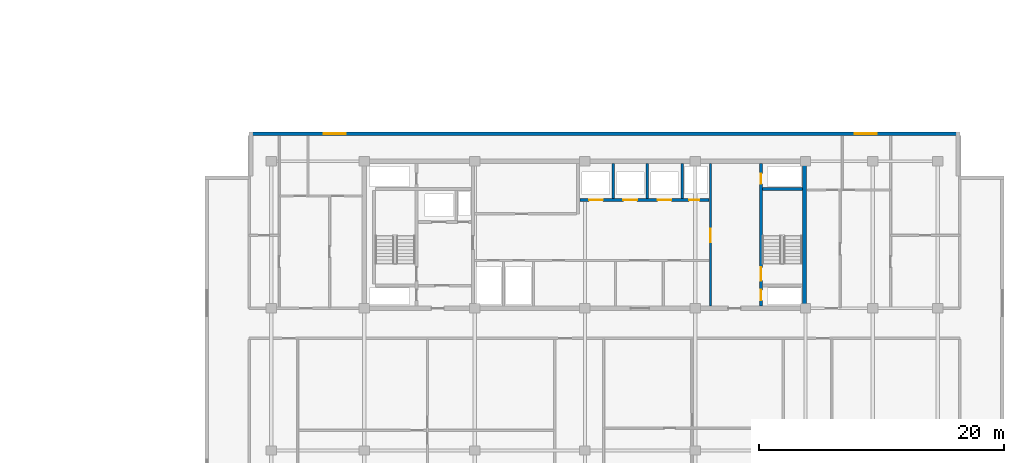
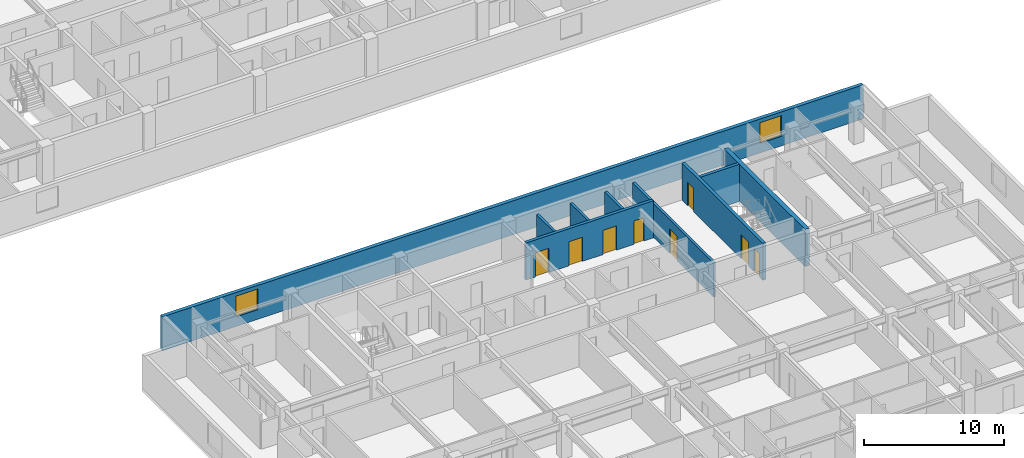
# One storey, part 8 of 22: 9 walls, 8 doors, 2 windows, 10 openings.
"""IFC4 building model written with IfcOpenShell, lengths in metres."""

from ifc_helpers import new_model, si_unit, direction, frame, frame_2d, origin, place, context, subcontext, project, spatial, rectangle, extrude, material, layer, layer_set, type_object, element, fill, save


model = new_model("IFC4")

# Units and contexts
model_context = context("Model", 3, precision=1e-05, world=origin(), true_north=direction((0.0, 1.0)))
body_context = subcontext(model_context, "Body", "Model", "MODEL_VIEW")
ifc_project = project(units=[si_unit("LENGTHUNIT", "METRE"), si_unit("AREAUNIT", "SQUARE_METRE"), si_unit("VOLUMEUNIT", "CUBIC_METRE"), si_unit("PLANEANGLEUNIT", "RADIAN"), si_unit("MASSUNIT", "GRAM", prefix="KILO")], contexts=[model_context])

# Site, building, storey
site_placement = place(None, origin())
site = spatial("IfcSite", under=ifc_project, at=site_placement, CompositionType="ELEMENT")
building_placement = place(site_placement, origin())
building = spatial("IfcBuilding", under=site, at=building_placement, Name="Korimba Cascade Residences", CompositionType="ELEMENT")
storey_placement = place(building_placement, frame((0.0, 0.0, 132.800048828125)))
storey = spatial("IfcBuildingStorey", under=building, at=storey_placement, Name="L38", CompositionType="ELEMENT", Elevation=132.800048828125)

# Wall, openings, windows
ifc_material_1 = material(Name="Precast concrete C40/50", Category="concrete")
ifc_layer_1 = layer(ifc_material_1, 0.300048828125)
ifc_layer_set_1 = layer_set([ifc_layer_1], Name="Precast concrete C40/50")
wall_type_1 = type_object("IfcWallType", Name="EW-STONE-300", PredefinedType="STANDARD", material=ifc_layer_set_1)
wall_1_placement = place(storey_placement, frame((130.699951171875, 32.64990234375, 0.0), z_axis=(0.0, 0.0, 1.0), x_axis=(-1.0, 0.0, 0.0)))
wall_1 = element("IfcWall", 1, at=wall_1_placement, inside=storey, type_object=wall_type_1, Name="L38 T2 Perimeter Stone Wall E06", PredefinedType="STANDARD", context=body_context, shape_type="SweptSolid", body=[
    extrude(rectangle(XDim=58.0, YDim=0.300048828125, at=frame_2d((29.0, 0.0))), origin(), (0.0, 0.0, 1.0), 2.969970703125),
])
opening_1_placement = place(wall_1_placement, frame((50.125, 0.0, 0.85009765625)))
opening_1 = element("IfcOpeningElement", 2, at=opening_1_placement, cuts=wall_1, Name="Opening W-02", PredefinedType="OPENING", context=body_context, shape_type="SweptSolid", body=[
    extrude(rectangle(XDim=1.800048828125, YDim=1.800048828125, at=frame_2d((0.89990234375, 0.89990234375))), frame((0.0, 0.16015625, 0.0), z_axis=(0.0, -1.0, 0.0), x_axis=(1.0, 0.0, 0.0)), (0.0, 0.0, 1.0), 0.320068359375),
])
opening_2_placement = place(wall_1_placement, frame((6.77490234375, 0.0, 0.85009765625)))
opening_2 = element("IfcOpeningElement", 3, at=opening_2_placement, cuts=wall_1, Name="Opening W-02", PredefinedType="OPENING", context=body_context, shape_type="SweptSolid", body=[
    extrude(rectangle(XDim=1.800048828125, YDim=1.800048828125, at=frame_2d((0.89990234375, 0.89990234375))), frame((0.0, 0.16015625, 0.0), z_axis=(0.0, -1.0, 0.0), x_axis=(1.0, 0.0, 0.0)), (0.0, 0.0, 1.0), 0.320068359375),
])
ifc_material_2 = material(Name="Double-Glazed Aluminium Window", Category="aluminium")
window_type = type_object("IfcWindowType", Name="WIN-BED-1800", PartitioningType="SINGLE_PANEL", PredefinedType="WINDOW", material=ifc_material_2)
window_1_placement = place(opening_1_placement, origin())
window_1 = element("IfcWindow", 4, at=window_1_placement, inside=storey, type_object=window_type, Name="L38 T2 North Corner Bedroom Window 1", OverallHeight=1.800048828125, OverallWidth=1.800048828125, PartitioningType="SINGLE_PANEL", PredefinedType="WINDOW", context=body_context, shape_type="SweptSolid", body=[
    extrude(rectangle(XDim=1.800048828125, YDim=1.800048828125, at=frame_2d((0.89990234375, 0.89990234375))), frame((0.0, 0.030029296875, 0.0), z_axis=(0.0, -1.0, 0.0), x_axis=(1.0, 0.0, 0.0)), (0.0, 0.0, 1.0), 0.06005859375),
])
fill(opening_1, window_1)
window_2_placement = place(opening_2_placement, origin())
window_2 = element("IfcWindow", 5, at=window_2_placement, inside=storey, type_object=window_type, Name="L38 T2 North Corner Bedroom Window 2", OverallHeight=1.800048828125, OverallWidth=1.800048828125, PartitioningType="SINGLE_PANEL", PredefinedType="WINDOW", context=body_context, shape_type="SweptSolid", body=[
    extrude(rectangle(XDim=1.800048828125, YDim=1.800048828125, at=frame_2d((0.89990234375, 0.89990234375))), frame((0.0, 0.030029296875, 0.0), z_axis=(0.0, -1.0, 0.0), x_axis=(1.0, 0.0, 0.0)), (0.0, 0.0, 1.0), 0.06005859375),
])
fill(opening_2, window_2)

# Walls
ifc_material_3 = material(Name="Concrete C65/80", Category="concrete")
ifc_layer_2 = layer(ifc_material_3, 0.35009765625)
ifc_layer_set_2 = layer_set([ifc_layer_2], Name="Concrete C65/80")
wall_type_2 = type_object("IfcWallType", Name="WAL-CORE-350", PredefinedType="SHEAR", material=ifc_layer_set_2)
wall_2_placement = place(storey_placement, frame((118.014892578125, 18.574951171875, 0.0), z_axis=(0.0, 0.0, 1.0), x_axis=(0.0, 1.0, 0.0)))
element("IfcWall", 6, at=wall_2_placement, inside=storey, type_object=wall_type_2, Name="L38 Core Shear Wall CW-L38-T2-E", PredefinedType="SHEAR", context=body_context, shape_type="SweptSolid", body=[
    extrude(rectangle(XDim=11.650146484375, YDim=0.35009765625, at=frame_2d((5.8251953125, 0.0))), origin(), (0.0, 0.0, 1.0), 3.25),
])
ifc_material_4 = material(Name="Concrete C40/50", Category="concrete")
ifc_layer_3 = layer(ifc_material_4, 0.199951171875)
ifc_layer_set_3 = layer_set([ifc_layer_3], Name="Concrete C40/50")
wall_type_3 = type_object("IfcWallType", Name="WAL-PART-200", PredefinedType="PARTITIONING", material=ifc_layer_set_3)
for number, where, z_axis, x_axis, name in (
    (7, (102.39990234375, 27.3798828125, 0.0), (0.0, 0.0, 1.0), (0.0, 1.0, 0.0), "L38 Partition Wall CW-L38-T2-B2D1"),
    (8, (105.199951171875, 27.3798828125, 0.0), (0.0, 0.0, 1.0), (0.0, 1.0, 0.0), "L38 Partition Wall CW-L38-T2-B2D2"),
    (9, (108.050048828125, 27.3798828125, 0.0), (0.0, 0.0, 1.0), (0.0, 1.0, 0.0), "L38 Partition Wall CW-L38-T2-B2D3"),
):
    element("IfcWall", number, at=place(storey_placement, frame(where, z_axis=z_axis, x_axis=x_axis)), inside=storey, type_object=wall_type_3, Name=name, PredefinedType="PARTITIONING", context=body_context, shape_type="SweptSolid", body=[
        extrude(rectangle(XDim=2.820068359375, YDim=0.199951171875, at=frame_2d((1.41015625, 0.0))), origin(), (0.0, 0.0, 1.0), 2.969970703125),
    ])

# Wall, opening, door
wall_3_placement = place(storey_placement, frame((110.35009765625, 18.60009765625, 0.0), z_axis=(0.0, 0.0, 1.0), x_axis=(0.0, 1.0, 0.0)))
wall_3 = element("IfcWall", 10, at=wall_3_placement, inside=storey, type_object=wall_type_3, Name="L38 Partition Wall CW-L38-T2-LLEV", PredefinedType="PARTITIONING", context=body_context, shape_type="SweptSolid", body=[
    extrude(rectangle(XDim=11.599853515625, YDim=0.199951171875, at=frame_2d((5.7998046875, 0.0))), origin(), (0.0, 0.0, 1.0), 2.969970703125),
])
opening_3_placement = place(wall_3_placement, frame((5.199951171875, 0.0, 0.0)))
opening_3 = element("IfcOpeningElement", 11, at=opening_3_placement, cuts=wall_3, Name="Opening D-FD6", PredefinedType="OPENING", context=body_context, shape_type="SweptSolid", body=[
    extrude(rectangle(XDim=1.10009765625, YDim=2.14990234375, at=frame_2d((0.550048828125, 1.074951171875))), frame((0.0, 0.10986328125, 0.0), z_axis=(0.0, -1.0, 0.0), x_axis=(1.0, 0.0, 0.0)), (0.0, 0.0, 1.0), 0.219970703125),
])
ifc_material_5 = material(Name="Fire-Rated Timber Stair Lobby Door", Category="wood")
door_type_1 = type_object("IfcDoorType", Name="DR-FD90-1100", OperationType="NOTDEFINED", PredefinedType="DOOR", material=ifc_material_5)
door_1_placement = place(opening_3_placement, origin())
door_1 = element("IfcDoor", 12, at=door_1_placement, inside=storey, type_object=door_type_1, Name="L38 T2 Lift Lobby to East Stair Lobby Door", OperationType="SINGLE_SWING_RIGHT", OverallHeight=2.14990234375, OverallWidth=1.10009765625, PredefinedType="DOOR", context=body_context, shape_type="SweptSolid", body=[
    extrude(rectangle(XDim=1.10009765625, YDim=2.14990234375, at=frame_2d((0.550048828125, 1.074951171875))), frame((0.0, 0.02490234375, 0.0), z_axis=(0.0, -1.0, 0.0), x_axis=(1.0, 0.0, 0.0)), (0.0, 0.0, 1.0), 0.050048828125),
])
fill(opening_3, door_1)

# Wall, openings, doors
ifc_material_6 = material(Name="Concrete C50/60", Category="concrete")
ifc_layer_4 = layer(ifc_material_6, 0.25)
ifc_layer_set_4 = layer_set([ifc_layer_4], Name="Concrete C50/60")
wall_type_4 = type_object("IfcWallType", Name="WAL-SHAFT-250", PredefinedType="SHEAR", material=ifc_layer_set_4)
wall_4_placement = place(storey_placement, frame((99.679931640625, 27.25, 0.0), z_axis=(0.0, 0.0, 1.0), x_axis=(1.0, 0.0, 0.0)))
wall_4 = element("IfcWall", 13, at=wall_4_placement, inside=storey, type_object=wall_type_4, Name="L38 Core Shear Wall CW-L38-T2-B2S", PredefinedType="SHEAR", context=body_context, shape_type="SweptSolid", body=[
    extrude(rectangle(XDim=10.5400390625, YDim=0.25, at=frame_2d((5.27001953125, 0.0))), origin(), (0.0, 0.0, 1.0), 3.25),
])
opening_4_placement = place(wall_4_placement, frame((0.760009765625, 0.0, 0.0)))
opening_4 = element("IfcOpeningElement", 14, at=opening_4_placement, cuts=wall_4, Name="Opening LD-01", PredefinedType="OPENING", context=body_context, shape_type="SweptSolid", body=[
    extrude(rectangle(XDim=1.1201171875, YDim=2.1201171875, at=frame_2d((0.56005859375, 1.06005859375))), frame((0.0, 0.135009765625, 0.0), z_axis=(0.0, -1.0, 0.0), x_axis=(1.0, 0.0, 0.0)), (0.0, 0.0, 1.0), 0.27001953125),
])
opening_5_placement = place(wall_4_placement, frame((3.56005859375, 0.0, 0.0)))
opening_5 = element("IfcOpeningElement", 15, at=opening_5_placement, cuts=wall_4, Name="Opening LD-01", PredefinedType="OPENING", context=body_context, shape_type="SweptSolid", body=[
    extrude(rectangle(XDim=1.1201171875, YDim=2.1201171875, at=frame_2d((0.56005859375, 1.06005859375))), frame((0.0, 0.135009765625, 0.0), z_axis=(0.0, -1.0, 0.0), x_axis=(1.0, 0.0, 0.0)), (0.0, 0.0, 1.0), 0.27001953125),
])
opening_6_placement = place(wall_4_placement, frame((6.360107421875, 0.0, 0.0)))
opening_6 = element("IfcOpeningElement", 16, at=opening_6_placement, cuts=wall_4, Name="Opening LD-01", PredefinedType="OPENING", context=body_context, shape_type="SweptSolid", body=[
    extrude(rectangle(XDim=1.1201171875, YDim=2.1201171875, at=frame_2d((0.56005859375, 1.06005859375))), frame((0.0, 0.135009765625, 0.0), z_axis=(0.0, -1.0, 0.0), x_axis=(1.0, 0.0, 0.0)), (0.0, 0.0, 1.0), 0.27001953125),
])
opening_7_placement = place(wall_4_placement, frame((8.919921875, 0.0, 0.0)))
opening_7 = element("IfcOpeningElement", 17, at=opening_7_placement, cuts=wall_4, Name="Opening D-RS1", PredefinedType="OPENING", context=body_context, shape_type="SweptSolid", body=[
    extrude(rectangle(XDim=0.85009765625, YDim=2.050048828125, at=frame_2d((0.425048828125, 1.02490234375))), frame((0.0, 0.135009765625, 0.0), z_axis=(0.0, -1.0, 0.0), x_axis=(1.0, 0.0, 0.0)), (0.0, 0.0, 1.0), 0.27001953125),
])
ifc_material_7 = material(Name="Fire-Rated Steel Riser Access Door", Category="steel")
door_type_2 = type_object("IfcDoorType", Name="DR-FD60-850", OperationType="NOTDEFINED", PredefinedType="DOOR", material=ifc_material_7)
door_2_placement = place(opening_7_placement, origin())
door_2 = element("IfcDoor", 18, at=door_2_placement, inside=storey, type_object=door_type_2, Name="L38 T2 Duct Door", OperationType="SINGLE_SWING_LEFT", OverallHeight=2.050048828125, OverallWidth=0.85009765625, PredefinedType="DOOR", context=body_context, shape_type="SweptSolid", body=[
    extrude(rectangle(XDim=0.85009765625, YDim=2.050048828125, at=frame_2d((0.425048828125, 1.02490234375))), frame((0.0, 0.02490234375, 0.0), z_axis=(0.0, -1.0, 0.0), x_axis=(1.0, 0.0, 0.0)), (0.0, 0.0, 1.0), 0.050048828125),
])
fill(opening_7, door_2)
ifc_material_8 = material(Name="Stainless Steel Lift Landing Sliding Door", Category="steel")
door_type_3 = type_object("IfcDoorType", Name="DR-LIFT-1100", OperationType="NOTDEFINED", PredefinedType="DOOR", material=ifc_material_8)
door_3_placement = place(opening_4_placement, origin())
door_3 = element("IfcDoor", 19, at=door_3_placement, inside=storey, type_object=door_type_3, Name="L38 Lift Landing Door PL-E4", OperationType="SLIDING_TO_RIGHT", OverallHeight=2.1201171875, OverallWidth=1.1201171875, PredefinedType="DOOR", context=body_context, shape_type="SweptSolid", body=[
    extrude(rectangle(XDim=1.1201171875, YDim=2.1201171875, at=frame_2d((0.56005859375, 1.06005859375))), frame((0.0, 0.02490234375, 0.0), z_axis=(0.0, -1.0, 0.0), x_axis=(1.0, 0.0, 0.0)), (0.0, 0.0, 1.0), 0.050048828125),
])
fill(opening_4, door_3)
door_4_placement = place(opening_5_placement, origin())
door_4 = element("IfcDoor", 20, at=door_4_placement, inside=storey, type_object=door_type_3, Name="L38 Lift Landing Door PL-E5", OperationType="SLIDING_TO_RIGHT", OverallHeight=2.1201171875, OverallWidth=1.1201171875, PredefinedType="DOOR", context=body_context, shape_type="SweptSolid", body=[
    extrude(rectangle(XDim=1.1201171875, YDim=2.1201171875, at=frame_2d((0.56005859375, 1.06005859375))), frame((0.0, 0.02490234375, 0.0), z_axis=(0.0, -1.0, 0.0), x_axis=(1.0, 0.0, 0.0)), (0.0, 0.0, 1.0), 0.050048828125),
])
fill(opening_5, door_4)
door_5_placement = place(opening_6_placement, origin())
door_5 = element("IfcDoor", 21, at=door_5_placement, inside=storey, type_object=door_type_3, Name="L38 Lift Landing Door PL-E6", OperationType="SLIDING_TO_RIGHT", OverallHeight=2.1201171875, OverallWidth=1.1201171875, PredefinedType="DOOR", context=body_context, shape_type="SweptSolid", body=[
    extrude(rectangle(XDim=1.1201171875, YDim=2.1201171875, at=frame_2d((0.56005859375, 1.06005859375))), frame((0.0, 0.02490234375, 0.0), z_axis=(0.0, -1.0, 0.0), x_axis=(1.0, 0.0, 0.0)), (0.0, 0.0, 1.0), 0.050048828125),
])
fill(opening_6, door_5)

wall_5_placement = place(storey_placement, frame((114.47509765625, 18.60009765625, 0.0), z_axis=(0.0, 0.0, 1.0), x_axis=(0.0, 1.0, 0.0)))
wall_5 = element("IfcWall", 22, at=wall_5_placement, inside=storey, type_object=wall_type_4, Name="L38 Core Shear Wall CW-L38-T2-STE2W", PredefinedType="SHEAR", context=body_context, shape_type="SweptSolid", body=[
    extrude(rectangle(XDim=11.599853515625, YDim=0.25, at=frame_2d((5.7998046875, 0.0))), origin(), (0.0, 0.0, 1.0), 3.25),
])
opening_8_placement = place(wall_5_placement, frame((0.449951171875, 0.0, 0.0)))
opening_8 = element("IfcOpeningElement", 23, at=opening_8_placement, cuts=wall_5, Name="Opening D-RS1", PredefinedType="OPENING", context=body_context, shape_type="SweptSolid", body=[
    extrude(rectangle(XDim=0.85009765625, YDim=2.050048828125, at=frame_2d((0.425048828125, 1.02490234375))), frame((0.0, 0.135009765625, 0.0), z_axis=(0.0, -1.0, 0.0), x_axis=(1.0, 0.0, 0.0)), (0.0, 0.0, 1.0), 0.27001953125),
])
opening_9_placement = place(wall_5_placement, frame((2.050048828125, 0.0, 0.0)))
opening_9 = element("IfcOpeningElement", 24, at=opening_9_placement, cuts=wall_5, Name="Opening D-FD1", PredefinedType="OPENING", context=body_context, shape_type="SweptSolid", body=[
    extrude(rectangle(XDim=1.10009765625, YDim=2.10009765625, at=frame_2d((0.550048828125, 1.050048828125))), frame((0.0, 0.135009765625, 0.0), z_axis=(0.0, -1.0, 0.0), x_axis=(1.0, 0.0, 0.0)), (0.0, 0.0, 1.0), 0.27001953125),
])
opening_10_placement = place(wall_5_placement, frame((9.949951171875, 0.0, 0.0)))
opening_10 = element("IfcOpeningElement", 25, at=opening_10_placement, cuts=wall_5, Name="Opening D-RS1", PredefinedType="OPENING", context=body_context, shape_type="SweptSolid", body=[
    extrude(rectangle(XDim=0.85009765625, YDim=2.050048828125, at=frame_2d((0.425048828125, 1.02490234375))), frame((0.0, 0.135009765625, 0.0), z_axis=(0.0, -1.0, 0.0), x_axis=(1.0, 0.0, 0.0)), (0.0, 0.0, 1.0), 0.27001953125),
])
ifc_material_9 = material(Name="Fire-Rated Steel Core Door", Category="steel")
door_type_4 = type_object("IfcDoorType", Name="DR-FD120-1100", OperationType="NOTDEFINED", PredefinedType="DOOR", material=ifc_material_9)
door_6_placement = place(opening_9_placement, origin())
door_6 = element("IfcDoor", 26, at=door_6_placement, inside=storey, type_object=door_type_4, Name="L38 Fire Stair ST-E2 Door", OperationType="SINGLE_SWING_RIGHT", OverallHeight=2.10009765625, OverallWidth=1.10009765625, PredefinedType="DOOR", context=body_context, shape_type="SweptSolid", body=[
    extrude(rectangle(XDim=1.10009765625, YDim=2.10009765625, at=frame_2d((0.550048828125, 1.050048828125))), frame((0.0, 0.02490234375, 0.0), z_axis=(0.0, -1.0, 0.0), x_axis=(1.0, 0.0, 0.0)), (0.0, 0.0, 1.0), 0.050048828125),
])
fill(opening_9, door_6)
door_7_placement = place(opening_8_placement, origin())
door_7 = element("IfcDoor", 27, at=door_7_placement, inside=storey, type_object=door_type_2, Name="L38 T2 East Hydrant Door", OperationType="SINGLE_SWING_LEFT", OverallHeight=2.050048828125, OverallWidth=0.85009765625, PredefinedType="DOOR", context=body_context, shape_type="SweptSolid", body=[
    extrude(rectangle(XDim=0.85009765625, YDim=2.050048828125, at=frame_2d((0.425048828125, 1.02490234375))), frame((0.0, 0.02490234375, 0.0), z_axis=(0.0, -1.0, 0.0), x_axis=(1.0, 0.0, 0.0)), (0.0, 0.0, 1.0), 0.050048828125),
])
fill(opening_8, door_7)
door_8_placement = place(opening_10_placement, origin())
door_8 = element("IfcDoor", 28, at=door_8_placement, inside=storey, type_object=door_type_2, Name="L38 T2 East Riser Door", OperationType="SINGLE_SWING_LEFT", OverallHeight=2.050048828125, OverallWidth=0.85009765625, PredefinedType="DOOR", context=body_context, shape_type="SweptSolid", body=[
    extrude(rectangle(XDim=0.85009765625, YDim=2.050048828125, at=frame_2d((0.425048828125, 1.02490234375))), frame((0.0, 0.02490234375, 0.0), z_axis=(0.0, -1.0, 0.0), x_axis=(1.0, 0.0, 0.0)), (0.0, 0.0, 1.0), 0.050048828125),
])
fill(opening_10, door_8)

# Wall
wall_6_placement = place(storey_placement, frame((114.60009765625, 28.125, 0.0), z_axis=(0.0, 0.0, 1.0), x_axis=(1.0, 0.0, 0.0)))
element("IfcWall", 29, at=wall_6_placement, inside=storey, type_object=wall_type_4, Name="L38 Core Shear Wall CW-L38-T2-STE2N", PredefinedType="SHEAR", context=body_context, shape_type="SweptSolid", body=[
    extrude(rectangle(XDim=3.239990234375, YDim=0.25, at=frame_2d((1.6201171875, 0.0))), origin(), (0.0, 0.0, 1.0), 3.25),
])

save(model, "model.ifc")
